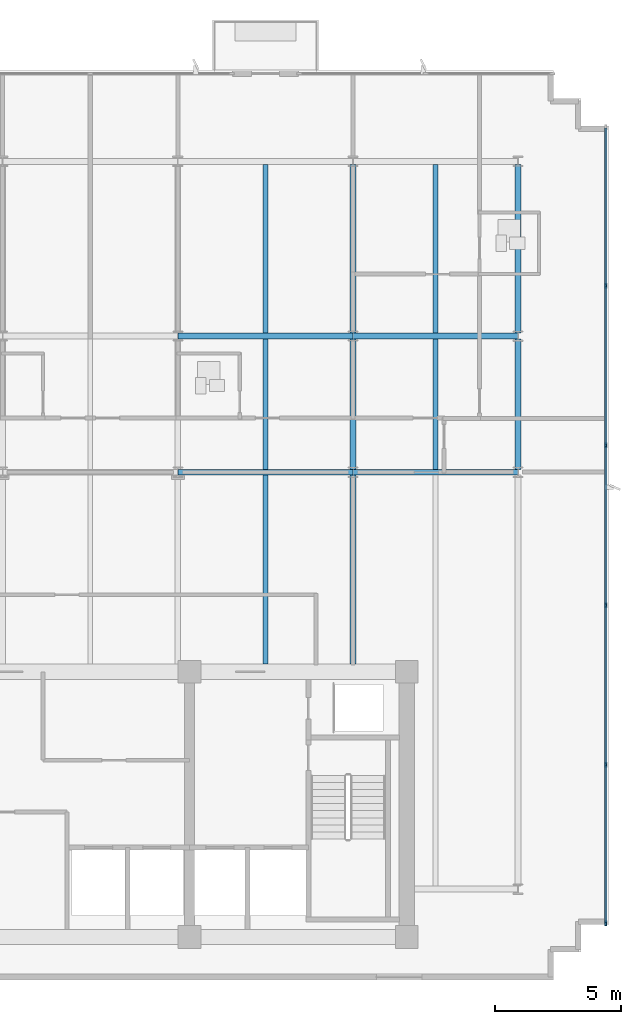
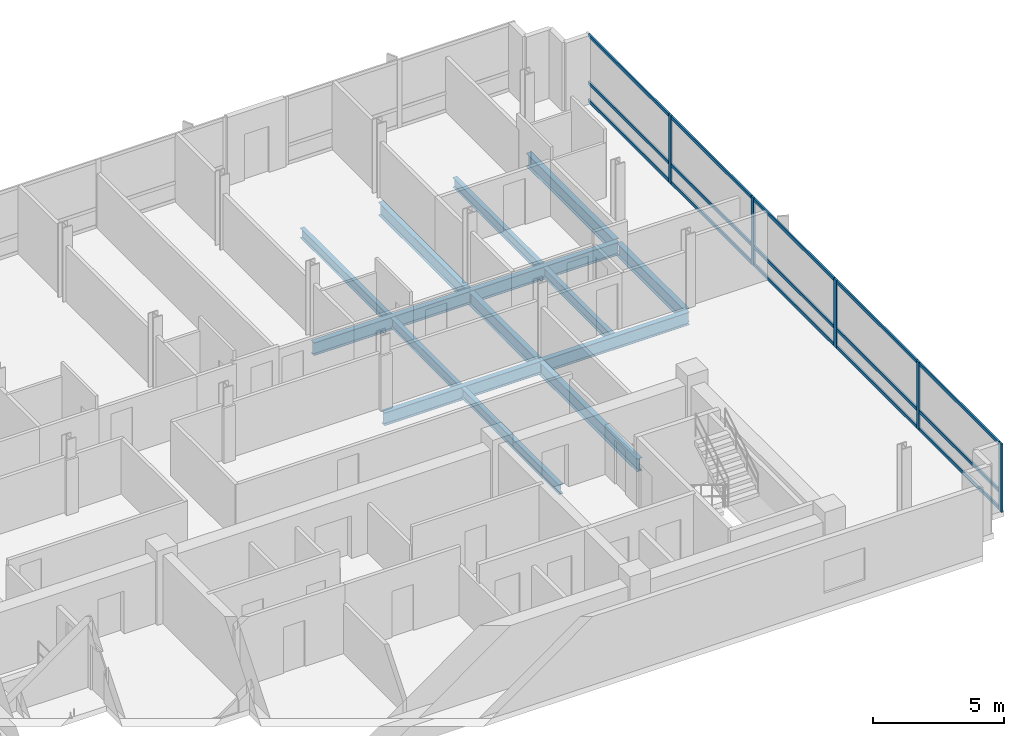
# One storey, part 4 of 14: 20 members, 14 beams, 1 element without a shape of its own.
"""IFC4 building model written with IfcOpenShell, lengths in metres."""

from ifc_helpers import new_model, si_unit, direction, frame, origin, origin_2d, place, context, subcontext, project, spatial, rectangle, i_section, extrude, material, material_profile, profile_set, type_object, element, aggregate, save


model = new_model("IFC4")

# Units and contexts
model_context = context("Model", 3, precision=1e-05, world=origin(), true_north=direction((0.0, 1.0)))
body_context = subcontext(model_context, "Body", "Model", "MODEL_VIEW")
ifc_project = project(units=[si_unit("LENGTHUNIT", "METRE"), si_unit("AREAUNIT", "SQUARE_METRE"), si_unit("VOLUMEUNIT", "CUBIC_METRE"), si_unit("PLANEANGLEUNIT", "RADIAN"), si_unit("MASSUNIT", "GRAM", prefix="KILO")], contexts=[model_context])

# Site, building, storey
site_placement = place(None, origin())
site = spatial("IfcSite", under=ifc_project, at=site_placement, CompositionType="ELEMENT")
building_placement = place(site_placement, origin())
building = spatial("IfcBuilding", under=site, at=building_placement, Name="Solmavex Isthmus Hotel", CompositionType="ELEMENT")
storey_placement = place(building_placement, frame((0.0, 0.0, 255.75)))
storey = spatial("IfcBuildingStorey", under=building, at=storey_placement, Name="L69", CompositionType="ELEMENT", Elevation=255.75)

# Beams
ifc_material_1 = material(Name="Steel ASTM A992 Grade 50", Category="steel")
ifc_material_profile_1 = material_profile(ifc_material_1, i_section(OverallWidth=0.1904296875, OverallDepth=0.456787109375, WebThickness=0.009033203125, FlangeThickness=0.014404296875, FilletRadius=0.0126953125, at=origin_2d()), Name="W18X50")
ifc_profile_set_1 = profile_set([ifc_material_profile_1], Name="Steel ASTM A992 Grade 50")
beam_type_1 = type_object("IfcBeamType", Name="BM-BJ-W18X50", PredefinedType="JOIST", material=ifc_profile_set_1)
beam_1_placement = place(storey_placement, frame((10.404052734375, -2.199951171875, -0.488525390625), z_axis=(0.0, 1.0, 0.0), x_axis=(-1.0, 0.0, 0.0)))
element("IfcBeam", 1, at=beam_1_placement, inside=storey, type_object=beam_type_1, Name="Secondary Floor Joist L69-J13", PredefinedType="JOIST", context=body_context, shape_type="SweptSolid", body=[
    extrude(i_section(OverallWidth=0.1904296875, OverallDepth=0.456787109375, WebThickness=0.009033203125, FlangeThickness=0.014404296875, FilletRadius=0.0126953125, at=origin_2d()), origin(), (0.0, 0.0, 1.0), 7.486083984375),
])
beam_2_placement = place(storey_placement, frame((10.404052734375, 5.513916015625, -0.488525390625), z_axis=(0.0, 1.0, 0.0), x_axis=(-1.0, 0.0, 0.0)))
element("IfcBeam", 2, at=beam_2_placement, inside=storey, type_object=beam_type_1, Name="Secondary Floor Joist L69-J14", PredefinedType="JOIST", context=body_context, shape_type="SweptSolid", body=[
    extrude(i_section(OverallWidth=0.1904296875, OverallDepth=0.456787109375, WebThickness=0.009033203125, FlangeThickness=0.014404296875, FilletRadius=0.0126953125, at=origin_2d()), origin(), (0.0, 0.0, 1.0), 5.16015625),
])
beam_3_placement = place(storey_placement, frame((10.404052734375, 10.90185546875, -0.488525390625), z_axis=(0.0, 1.0, 0.0), x_axis=(-1.0, 0.0, 0.0)))
element("IfcBeam", 3, at=beam_3_placement, inside=storey, type_object=beam_type_1, Name="Secondary Floor Joist L69-J15", PredefinedType="JOIST", context=body_context, shape_type="SweptSolid", body=[
    extrude(i_section(OverallWidth=0.1904296875, OverallDepth=0.456787109375, WebThickness=0.009033203125, FlangeThickness=0.014404296875, FilletRadius=0.0126953125, at=origin_2d()), origin(), (0.0, 0.0, 1.0), 6.682861328125),
])
beam_4_placement = place(storey_placement, frame((17.135986328125, 5.513916015625, -0.488525390625), z_axis=(0.0, 1.0, 0.0), x_axis=(-1.0, 0.0, 0.0)))
element("IfcBeam", 4, at=beam_4_placement, inside=storey, type_object=beam_type_1, Name="Secondary Floor Joist L69-J17", PredefinedType="JOIST", context=body_context, shape_type="SweptSolid", body=[
    extrude(i_section(OverallWidth=0.1904296875, OverallDepth=0.456787109375, WebThickness=0.009033203125, FlangeThickness=0.014404296875, FilletRadius=0.0126953125, at=origin_2d()), origin(), (0.0, 0.0, 1.0), 5.16015625),
])
beam_5_placement = place(storey_placement, frame((17.135986328125, 10.90185546875, -0.488525390625), z_axis=(0.0, 1.0, 0.0), x_axis=(-1.0, 0.0, 0.0)))
element("IfcBeam", 5, at=beam_5_placement, inside=storey, type_object=beam_type_1, Name="Secondary Floor Joist L69-J18", PredefinedType="JOIST", context=body_context, shape_type="SweptSolid", body=[
    extrude(i_section(OverallWidth=0.1904296875, OverallDepth=0.456787109375, WebThickness=0.009033203125, FlangeThickness=0.014404296875, FilletRadius=0.0126953125, at=origin_2d()), origin(), (0.0, 0.0, 1.0), 6.682861328125),
])
ifc_material_profile_2 = material_profile(ifc_material_1, i_section(OverallWidth=0.227783203125, OverallDepth=0.602783203125, WebThickness=0.010498046875, FlangeThickness=0.014892578125, FilletRadius=0.01513671875, at=origin_2d()), Name="W24X68")
ifc_profile_set_2 = profile_set([ifc_material_profile_2], Name="Steel ASTM A992 Grade 50")
beam_type_2 = type_object("IfcBeamType", Name="BM-BM-W24X68", PredefinedType="BEAM", material=ifc_profile_set_2)
beam_6_placement = place(storey_placement, frame((6.93603515625, 5.39990234375, -0.561279296875), z_axis=(1.0, 0.0, 0.0), x_axis=(0.0, 1.0, 0.0)))
element("IfcBeam", 6, at=beam_6_placement, inside=storey, type_object=beam_type_2, Name="Floor Girder L69-UG07", PredefinedType="BEAM", context=body_context, shape_type="SweptSolid", body=[
    extrude(i_section(OverallWidth=0.227783203125, OverallDepth=0.602783203125, WebThickness=0.010498046875, FlangeThickness=0.014892578125, FilletRadius=0.01513671875, at=origin_2d()), origin(), (0.0, 0.0, 1.0), 6.93603515625),
])
beam_7_placement = place(storey_placement, frame((13.8720703125, 5.39990234375, -0.561279296875), z_axis=(1.0, 0.0, 0.0), x_axis=(0.0, 1.0, 0.0)))
element("IfcBeam", 7, at=beam_7_placement, inside=storey, type_object=beam_type_2, Name="Floor Girder L69-UG08", PredefinedType="BEAM", context=body_context, shape_type="SweptSolid", body=[
    extrude(i_section(OverallWidth=0.227783203125, OverallDepth=0.602783203125, WebThickness=0.010498046875, FlangeThickness=0.014892578125, FilletRadius=0.01513671875, at=origin_2d()), origin(), (0.0, 0.0, 1.0), 6.52783203125),
])
beam_8_placement = place(storey_placement, frame((6.93603515625, 10.7880859375, -0.561279296875), z_axis=(1.0, 0.0, 0.0), x_axis=(0.0, 1.0, 0.0)))
element("IfcBeam", 8, at=beam_8_placement, inside=storey, type_object=beam_type_2, Name="Floor Girder L69-UG13", PredefinedType="BEAM", context=body_context, shape_type="SweptSolid", body=[
    extrude(i_section(OverallWidth=0.227783203125, OverallDepth=0.602783203125, WebThickness=0.010498046875, FlangeThickness=0.014892578125, FilletRadius=0.01513671875, at=origin_2d()), origin(), (0.0, 0.0, 1.0), 6.93603515625),
])
beam_9_placement = place(storey_placement, frame((13.8720703125, 10.7880859375, -0.561279296875), z_axis=(1.0, 0.0, 0.0), x_axis=(0.0, 1.0, 0.0)))
element("IfcBeam", 9, at=beam_9_placement, inside=storey, type_object=beam_type_2, Name="Floor Girder L69-UG14", PredefinedType="BEAM", context=body_context, shape_type="SweptSolid", body=[
    extrude(i_section(OverallWidth=0.227783203125, OverallDepth=0.602783203125, WebThickness=0.010498046875, FlangeThickness=0.014892578125, FilletRadius=0.01513671875, at=origin_2d()), origin(), (0.0, 0.0, 1.0), 6.52783203125),
])
beam_10_placement = place(storey_placement, frame((13.8720703125, -2.199951171875, -0.561279296875), z_axis=(0.0, 1.0, 0.0), x_axis=(-1.0, 0.0, 0.0)))
element("IfcBeam", 10, at=beam_10_placement, inside=storey, type_object=beam_type_2, Name="Floor Beam L69-VG36", PredefinedType="BEAM", context=body_context, shape_type="SweptSolid", body=[
    extrude(i_section(OverallWidth=0.227783203125, OverallDepth=0.602783203125, WebThickness=0.010498046875, FlangeThickness=0.014892578125, FilletRadius=0.01513671875, at=origin_2d()), origin(), (0.0, 0.0, 1.0), 7.486083984375),
])
beam_11_placement = place(storey_placement, frame((13.8720703125, 5.513916015625, -0.561279296875), z_axis=(0.0, 1.0, 0.0), x_axis=(-1.0, 0.0, 0.0)))
element("IfcBeam", 11, at=beam_11_placement, inside=storey, type_object=beam_type_2, Name="Floor Beam L69-VG37", PredefinedType="BEAM", context=body_context, shape_type="SweptSolid", body=[
    extrude(i_section(OverallWidth=0.227783203125, OverallDepth=0.602783203125, WebThickness=0.010498046875, FlangeThickness=0.014892578125, FilletRadius=0.01513671875, at=origin_2d()), origin(), (0.0, 0.0, 1.0), 5.16015625),
])
beam_12_placement = place(storey_placement, frame((13.8720703125, 10.90185546875, -0.561279296875), z_axis=(0.0, 1.0, 0.0), x_axis=(-1.0, 0.0, 0.0)))
element("IfcBeam", 12, at=beam_12_placement, inside=storey, type_object=beam_type_2, Name="Floor Beam L69-VG38", PredefinedType="BEAM", context=body_context, shape_type="SweptSolid", body=[
    extrude(i_section(OverallWidth=0.227783203125, OverallDepth=0.602783203125, WebThickness=0.010498046875, FlangeThickness=0.014892578125, FilletRadius=0.01513671875, at=origin_2d()), origin(), (0.0, 0.0, 1.0), 6.682861328125),
])
ifc_material_profile_3 = material_profile(ifc_material_1, i_section(OverallWidth=0.230224609375, OverallDepth=0.617431640625, WebThickness=0.01318359375, FlangeThickness=0.022216796875, FilletRadius=0.01513671875, at=origin_2d()), Name="W24X94")
ifc_profile_set_3 = profile_set([ifc_material_profile_3], Name="Steel ASTM A992 Grade 50")
beam_type_3 = type_object("IfcBeamType", Name="BM-SP-W24X94", PredefinedType="SPANDREL", material=ifc_profile_set_3)
beam_13_placement = place(storey_placement, frame((20.39990234375, 5.513916015625, -0.56884765625), z_axis=(0.0, 1.0, 0.0), x_axis=(-1.0, 0.0, 0.0)))
element("IfcBeam", 13, at=beam_13_placement, inside=storey, type_object=beam_type_3, Name="Floor Beam L69-VG40", PredefinedType="SPANDREL", context=body_context, shape_type="SweptSolid", body=[
    extrude(i_section(OverallWidth=0.230224609375, OverallDepth=0.617431640625, WebThickness=0.01318359375, FlangeThickness=0.022216796875, FilletRadius=0.01513671875, at=origin_2d()), origin(), (0.0, 0.0, 1.0), 5.16015625),
])
beam_14_placement = place(storey_placement, frame((20.39990234375, 10.90185546875, -0.56884765625), z_axis=(0.0, 1.0, 0.0), x_axis=(-1.0, 0.0, 0.0)))
element("IfcBeam", 14, at=beam_14_placement, inside=storey, type_object=beam_type_3, Name="Floor Beam L69-VG41", PredefinedType="SPANDREL", context=body_context, shape_type="SweptSolid", body=[
    extrude(i_section(OverallWidth=0.230224609375, OverallDepth=0.617431640625, WebThickness=0.01318359375, FlangeThickness=0.022216796875, FilletRadius=0.01513671875, at=origin_2d()), origin(), (0.0, 0.0, 1.0), 6.682861328125),
])

# Curtain wall, members
ifc_material_2 = material(Name="Aluminium alloy 6063-T6", Category="aluminium")
curtain_wall_type = type_object("IfcCurtainWallType", Name="CW-SYS-04", PredefinedType="NOTDEFINED", material=ifc_material_2)
curtain_wall_placement = place(storey_placement, origin())
curtain_wall = element("IfcCurtainWall", 15, at=curtain_wall_placement, inside=storey, type_object=curtain_wall_type, Name="Stick Curtain Wall CWL-L69-E1", PredefinedType="NOTDEFINED")
ifc_material_profile_4 = material_profile(ifc_material_2, rectangle(XDim=0.074951171875, YDim=0.199951171875, at=origin_2d()), Name="CWM-75X200")
ifc_profile_set_4 = profile_set([ifc_material_profile_4], Name="Aluminium alloy 6063-T6")
member_type_1 = type_object("IfcMemberType", Name="CW-SYS-04-MUL", PredefinedType="MULLION", material=ifc_profile_set_4)
member_1_placement = place(storey_placement, frame((23.8798828125, -12.46240234375, 0.0), z_axis=(0.0, 0.0, 1.0), x_axis=(-1.0, 0.0, 0.0)))
member_1 = element("IfcMember", 16, at=member_1_placement, type_object=member_type_1, Name="CW-04 mullion 1", PredefinedType="MULLION", context=body_context, shape_type="SweptSolid", body=[
    extrude(rectangle(XDim=0.074951171875, YDim=0.199951171875, at=origin_2d()), origin(), (0.0, 0.0, 1.0), 3.18994140625),
])
member_2_placement = place(storey_placement, frame((23.8798828125, -6.179931640625, 0.0), z_axis=(0.0, 0.0, 1.0), x_axis=(-1.0, 0.0, 0.0)))
member_2 = element("IfcMember", 17, at=member_2_placement, type_object=member_type_1, Name="CW-04 mullion 2", PredefinedType="MULLION", context=body_context, shape_type="SweptSolid", body=[
    extrude(rectangle(XDim=0.074951171875, YDim=0.199951171875, at=origin_2d()), origin(), (0.0, 0.0, 1.0), 3.18994140625),
])
member_3_placement = place(storey_placement, frame((23.8798828125, 0.139892578125, 0.0), z_axis=(0.0, 0.0, 1.0), x_axis=(-1.0, 0.0, 0.0)))
member_3 = element("IfcMember", 18, at=member_3_placement, type_object=member_type_1, Name="CW-04 mullion 3", PredefinedType="MULLION", context=body_context, shape_type="SweptSolid", body=[
    extrude(rectangle(XDim=0.074951171875, YDim=0.199951171875, at=origin_2d()), origin(), (0.0, 0.0, 1.0), 3.18994140625),
])
member_4_placement = place(storey_placement, frame((23.8798828125, 6.4599609375, 0.0), z_axis=(0.0, 0.0, 1.0), x_axis=(-1.0, 0.0, 0.0)))
member_4 = element("IfcMember", 19, at=member_4_placement, type_object=member_type_1, Name="CW-04 mullion 4", PredefinedType="MULLION", context=body_context, shape_type="SweptSolid", body=[
    extrude(rectangle(XDim=0.074951171875, YDim=0.199951171875, at=origin_2d()), origin(), (0.0, 0.0, 1.0), 3.18994140625),
])
member_5_placement = place(storey_placement, frame((23.8798828125, 12.780029296875, 0.0), z_axis=(0.0, 0.0, 1.0), x_axis=(-1.0, 0.0, 0.0)))
member_5 = element("IfcMember", 20, at=member_5_placement, type_object=member_type_1, Name="CW-04 mullion 5", PredefinedType="MULLION", context=body_context, shape_type="SweptSolid", body=[
    extrude(rectangle(XDim=0.074951171875, YDim=0.199951171875, at=origin_2d()), origin(), (0.0, 0.0, 1.0), 3.18994140625),
])
ifc_material_profile_5 = material_profile(ifc_material_2, rectangle(XDim=0.074951171875, YDim=0.14990234375, at=origin_2d()), Name="CWT-75X150")
ifc_profile_set_5 = profile_set([ifc_material_profile_5], Name="Aluminium alloy 6063-T6")
member_type_2 = type_object("IfcMemberType", Name="CW-SYS-04-TRN", PredefinedType="USERDEFINED", material=ifc_profile_set_5)
member_6_placement = place(storey_placement, frame((23.8798828125, -12.425048828125, 0.074951171875), z_axis=(0.0, 1.0, 0.0), x_axis=(-1.0, 0.0, 0.0)))
member_6 = element("IfcMember", 21, at=member_6_placement, type_object=member_type_2, Name="CW-04 transom 1.1", ObjectType="TRANSOM", PredefinedType="USERDEFINED", context=body_context, shape_type="SweptSolid", body=[
    extrude(rectangle(XDim=0.074951171875, YDim=0.14990234375, at=origin_2d()), origin(), (0.0, 0.0, 1.0), 6.20751953125),
])
member_7_placement = place(storey_placement, frame((23.8798828125, -12.425048828125, 0.89990234375), z_axis=(0.0, 1.0, 0.0), x_axis=(-1.0, 0.0, 0.0)))
member_7 = element("IfcMember", 22, at=member_7_placement, type_object=member_type_2, Name="CW-04 transom 1.2", ObjectType="TRANSOM", PredefinedType="USERDEFINED", context=body_context, shape_type="SweptSolid", body=[
    extrude(rectangle(XDim=0.074951171875, YDim=0.14990234375, at=origin_2d()), origin(), (0.0, 0.0, 1.0), 6.20751953125),
])
member_8_placement = place(storey_placement, frame((23.8798828125, -12.425048828125, 3.114990234375), z_axis=(0.0, 1.0, 0.0), x_axis=(-1.0, 0.0, 0.0)))
member_8 = element("IfcMember", 23, at=member_8_placement, type_object=member_type_2, Name="CW-04 transom 1.3", ObjectType="TRANSOM", PredefinedType="USERDEFINED", context=body_context, shape_type="SweptSolid", body=[
    extrude(rectangle(XDim=0.074951171875, YDim=0.14990234375, at=origin_2d()), origin(), (0.0, 0.0, 1.0), 6.20751953125),
])
member_9_placement = place(storey_placement, frame((23.8798828125, -6.142578125, 0.074951171875), z_axis=(0.0, 1.0, 0.0), x_axis=(-1.0, 0.0, 0.0)))
member_9 = element("IfcMember", 24, at=member_9_placement, type_object=member_type_2, Name="CW-04 transom 2.1", ObjectType="TRANSOM", PredefinedType="USERDEFINED", context=body_context, shape_type="SweptSolid", body=[
    extrude(rectangle(XDim=0.074951171875, YDim=0.14990234375, at=origin_2d()), origin(), (0.0, 0.0, 1.0), 6.2451171875),
])
member_10_placement = place(storey_placement, frame((23.8798828125, -6.142578125, 0.89990234375), z_axis=(0.0, 1.0, 0.0), x_axis=(-1.0, 0.0, 0.0)))
member_10 = element("IfcMember", 25, at=member_10_placement, type_object=member_type_2, Name="CW-04 transom 2.2", ObjectType="TRANSOM", PredefinedType="USERDEFINED", context=body_context, shape_type="SweptSolid", body=[
    extrude(rectangle(XDim=0.074951171875, YDim=0.14990234375, at=origin_2d()), origin(), (0.0, 0.0, 1.0), 6.2451171875),
])
member_11_placement = place(storey_placement, frame((23.8798828125, -6.142578125, 3.114990234375), z_axis=(0.0, 1.0, 0.0), x_axis=(-1.0, 0.0, 0.0)))
member_11 = element("IfcMember", 26, at=member_11_placement, type_object=member_type_2, Name="CW-04 transom 2.3", ObjectType="TRANSOM", PredefinedType="USERDEFINED", context=body_context, shape_type="SweptSolid", body=[
    extrude(rectangle(XDim=0.074951171875, YDim=0.14990234375, at=origin_2d()), origin(), (0.0, 0.0, 1.0), 6.2451171875),
])
member_12_placement = place(storey_placement, frame((23.8798828125, 0.177490234375, 0.074951171875), z_axis=(0.0, 1.0, 0.0), x_axis=(-1.0, 0.0, 0.0)))
member_12 = element("IfcMember", 27, at=member_12_placement, type_object=member_type_2, Name="CW-04 transom 3.1", ObjectType="TRANSOM", PredefinedType="USERDEFINED", context=body_context, shape_type="SweptSolid", body=[
    extrude(rectangle(XDim=0.074951171875, YDim=0.14990234375, at=origin_2d()), origin(), (0.0, 0.0, 1.0), 6.2451171875),
])
member_13_placement = place(storey_placement, frame((23.8798828125, 0.177490234375, 0.89990234375), z_axis=(0.0, 1.0, 0.0), x_axis=(-1.0, 0.0, 0.0)))
member_13 = element("IfcMember", 28, at=member_13_placement, type_object=member_type_2, Name="CW-04 transom 3.2", ObjectType="TRANSOM", PredefinedType="USERDEFINED", context=body_context, shape_type="SweptSolid", body=[
    extrude(rectangle(XDim=0.074951171875, YDim=0.14990234375, at=origin_2d()), origin(), (0.0, 0.0, 1.0), 6.2451171875),
])
member_14_placement = place(storey_placement, frame((23.8798828125, 0.177490234375, 3.114990234375), z_axis=(0.0, 1.0, 0.0), x_axis=(-1.0, 0.0, 0.0)))
member_14 = element("IfcMember", 29, at=member_14_placement, type_object=member_type_2, Name="CW-04 transom 3.3", ObjectType="TRANSOM", PredefinedType="USERDEFINED", context=body_context, shape_type="SweptSolid", body=[
    extrude(rectangle(XDim=0.074951171875, YDim=0.14990234375, at=origin_2d()), origin(), (0.0, 0.0, 1.0), 6.2451171875),
])
member_15_placement = place(storey_placement, frame((23.8798828125, 6.49755859375, 0.074951171875), z_axis=(0.0, 1.0, 0.0), x_axis=(-1.0, 0.0, 0.0)))
member_15 = element("IfcMember", 30, at=member_15_placement, type_object=member_type_2, Name="CW-04 transom 4.1", ObjectType="TRANSOM", PredefinedType="USERDEFINED", context=body_context, shape_type="SweptSolid", body=[
    extrude(rectangle(XDim=0.074951171875, YDim=0.14990234375, at=origin_2d()), origin(), (0.0, 0.0, 1.0), 6.244873046875),
])
member_16_placement = place(storey_placement, frame((23.8798828125, 6.49755859375, 0.89990234375), z_axis=(0.0, 1.0, 0.0), x_axis=(-1.0, 0.0, 0.0)))
member_16 = element("IfcMember", 31, at=member_16_placement, type_object=member_type_2, Name="CW-04 transom 4.2", ObjectType="TRANSOM", PredefinedType="USERDEFINED", context=body_context, shape_type="SweptSolid", body=[
    extrude(rectangle(XDim=0.074951171875, YDim=0.14990234375, at=origin_2d()), origin(), (0.0, 0.0, 1.0), 6.244873046875),
])
member_17_placement = place(storey_placement, frame((23.8798828125, 6.49755859375, 3.114990234375), z_axis=(0.0, 1.0, 0.0), x_axis=(-1.0, 0.0, 0.0)))
member_17 = element("IfcMember", 32, at=member_17_placement, type_object=member_type_2, Name="CW-04 transom 4.3", ObjectType="TRANSOM", PredefinedType="USERDEFINED", context=body_context, shape_type="SweptSolid", body=[
    extrude(rectangle(XDim=0.074951171875, YDim=0.14990234375, at=origin_2d()), origin(), (0.0, 0.0, 1.0), 6.244873046875),
])
member_18_placement = place(storey_placement, frame((23.8798828125, 12.8173828125, 0.074951171875), z_axis=(0.0, 1.0, 0.0), x_axis=(-1.0, 0.0, 0.0)))
member_18 = element("IfcMember", 33, at=member_18_placement, type_object=member_type_2, Name="CW-04 transom 5.1", ObjectType="TRANSOM", PredefinedType="USERDEFINED", context=body_context, shape_type="SweptSolid", body=[
    extrude(rectangle(XDim=0.074951171875, YDim=0.14990234375, at=origin_2d()), origin(), (0.0, 0.0, 1.0), 6.20751953125),
])
member_19_placement = place(storey_placement, frame((23.8798828125, 12.8173828125, 0.89990234375), z_axis=(0.0, 1.0, 0.0), x_axis=(-1.0, 0.0, 0.0)))
member_19 = element("IfcMember", 34, at=member_19_placement, type_object=member_type_2, Name="CW-04 transom 5.2", ObjectType="TRANSOM", PredefinedType="USERDEFINED", context=body_context, shape_type="SweptSolid", body=[
    extrude(rectangle(XDim=0.074951171875, YDim=0.14990234375, at=origin_2d()), origin(), (0.0, 0.0, 1.0), 6.20751953125),
])
member_20_placement = place(storey_placement, frame((23.8798828125, 12.8173828125, 3.114990234375), z_axis=(0.0, 1.0, 0.0), x_axis=(-1.0, 0.0, 0.0)))
member_20 = element("IfcMember", 35, at=member_20_placement, type_object=member_type_2, Name="CW-04 transom 5.3", ObjectType="TRANSOM", PredefinedType="USERDEFINED", context=body_context, shape_type="SweptSolid", body=[
    extrude(rectangle(XDim=0.074951171875, YDim=0.14990234375, at=origin_2d()), origin(), (0.0, 0.0, 1.0), 6.20751953125),
])
aggregate(curtain_wall, [member_1, member_2, member_3, member_4, member_5, member_6, member_7, member_8, member_9, member_10, member_11, member_12, member_13, member_14, member_15, member_16, member_17, member_18, member_19, member_20])

save(model, "model.ifc")
